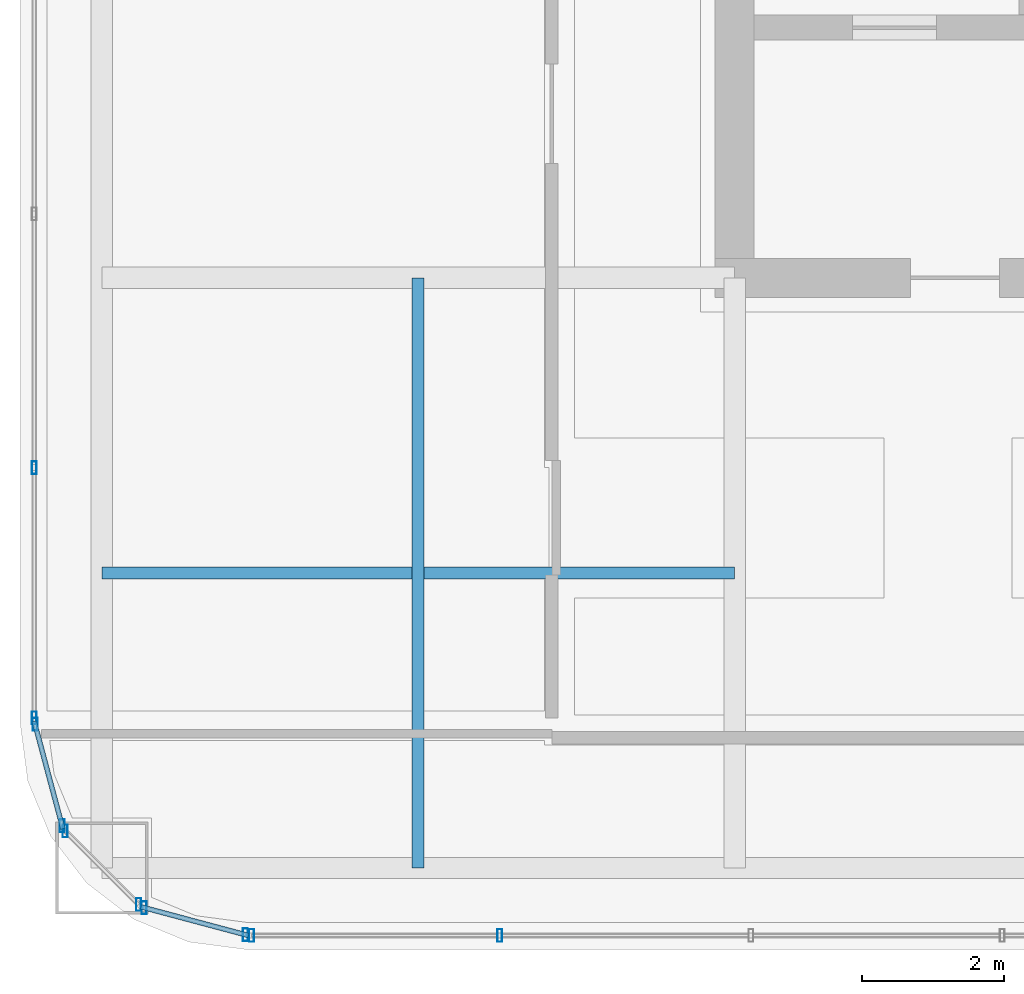
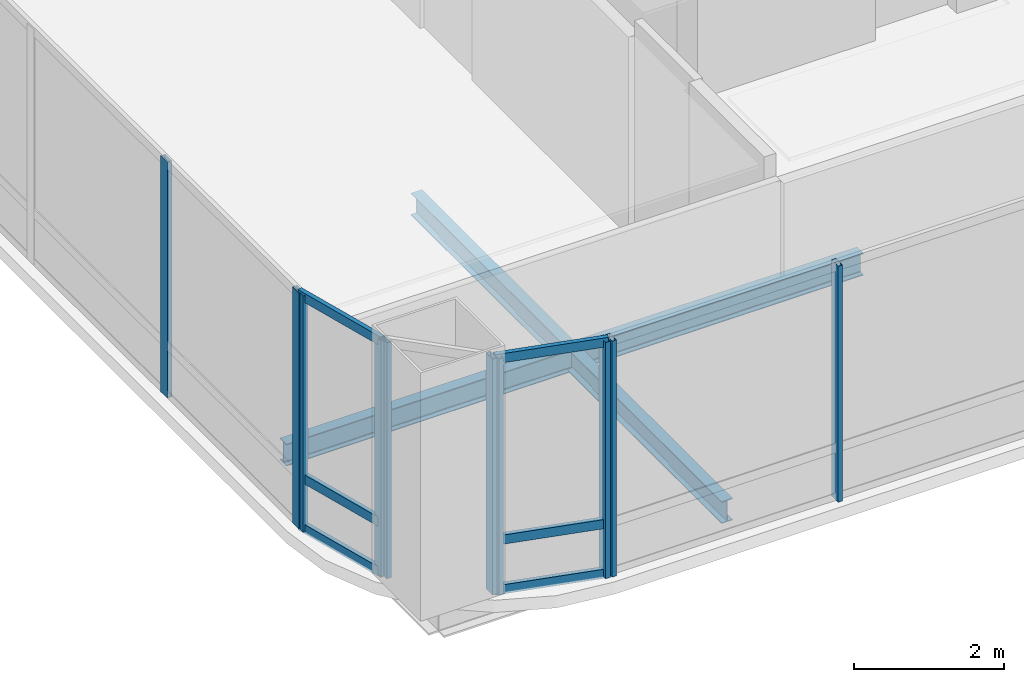
# One storey, part 2 of 40: 16 members, 2 beams, 5 elements without a shape of their own.
"""IFC4 building model written with IfcOpenShell, lengths in metres."""

from ifc_helpers import new_model, si_unit, direction, frame, origin, origin_2d, place, context, subcontext, project, spatial, hollow_rectangle, i_section, extrude, material, material_profile, profile_set, type_object, element, aggregate, save


model = new_model("IFC4")

# Units and contexts
model_context = context("Model", 3, precision=1e-05, world=origin(), true_north=direction((0.0, 1.0)))
body_context = subcontext(model_context, "Body", "Model", "MODEL_VIEW")
ifc_project = project(units=[si_unit("LENGTHUNIT", "METRE"), si_unit("AREAUNIT", "SQUARE_METRE"), si_unit("VOLUMEUNIT", "CUBIC_METRE"), si_unit("PLANEANGLEUNIT", "RADIAN"), si_unit("MASSUNIT", "GRAM", prefix="KILO")], contexts=[model_context])

# Site, building, storey
site_placement = place(None, origin())
site = spatial("IfcSite", under=ifc_project, at=site_placement, CompositionType="ELEMENT")
building_placement = place(site_placement, origin())
building = spatial("IfcBuilding", under=site, at=building_placement, Name="Punatoya Terracotta Tower", CompositionType="ELEMENT")
storey_placement = place(building_placement, frame((0.0, 0.0, 271.64990234375)))
storey = spatial("IfcBuildingStorey", under=building, at=storey_placement, Name="L64", CompositionType="ELEMENT", Elevation=271.64990234375)

# Beams
ifc_material_1 = material(Name="Steel S355", Category="steel")
ifc_material_profile_1 = material_profile(ifc_material_1, i_section(OverallWidth=0.169921875, OverallDepth=0.360107421875, WebThickness=0.008056640625, FlangeThickness=0.0126953125, FilletRadius=0.01806640625, at=origin_2d()))
ifc_profile_set_1 = profile_set([ifc_material_profile_1], Name="Steel S355")
beam_type = type_object("IfcBeamType", Name="BM-SEC-360", PredefinedType="JOIST", material=ifc_profile_set_1)
beam_1_placement = place(storey_placement, frame((-19.10009765625, -13.35009765625, -0.3798828125), z_axis=(1.0, 0.0, 0.0), x_axis=(0.0, 1.0, 0.0)))
element("IfcBeam", 1, at=beam_1_placement, inside=storey, type_object=beam_type, Name="BM-L64-SJS-1", PredefinedType="JOIST", context=body_context, shape_type="SweptSolid", body=[
    extrude(i_section(OverallWidth=0.169921875, OverallDepth=0.360107421875, WebThickness=0.008056640625, FlangeThickness=0.0126953125, FilletRadius=0.01806640625, at=origin_2d()), origin(), (0.0, 0.0, 1.0), 8.900146484375),
])
beam_2_placement = place(storey_placement, frame((-14.64990234375, -17.5, -0.3798828125), z_axis=(0.0, 1.0, 0.0), x_axis=(-1.0, 0.0, 0.0)))
element("IfcBeam", 2, at=beam_2_placement, inside=storey, type_object=beam_type, Name="BM-L64-SJW-1", PredefinedType="JOIST", context=body_context, shape_type="SweptSolid", body=[
    extrude(i_section(OverallWidth=0.169921875, OverallDepth=0.360107421875, WebThickness=0.008056640625, FlangeThickness=0.0126953125, FilletRadius=0.01806640625, at=origin_2d()), origin(), (0.0, 0.0, 1.0), 8.300048828125),
])

# Curtain wall, members
ifc_material_2 = material(Name="Aluminium 6063-T6 + Double Low-E Glass", Category="aluminium")
curtain_wall_type = type_object("IfcCurtainWallType", Name="CW-M3", PredefinedType="NOTDEFINED", material=ifc_material_2)
curtain_wall_1_placement = place(storey_placement, origin())
curtain_wall_1 = element("IfcCurtainWall", 3, at=curtain_wall_1_placement, inside=storey, type_object=curtain_wall_type, Name="L64 Curtain Wall CW-L64-S01-1", PredefinedType="NOTDEFINED")
ifc_material_3 = material(Name="Aluminium 6063-T6", Category="aluminium")
ifc_material_profile_2 = material_profile(ifc_material_3, hollow_rectangle(XDim=0.070068359375, YDim=0.179931640625, WallThickness=0.00390625, at=origin_2d()))
ifc_profile_set_2 = profile_set([ifc_material_profile_2], Name="Aluminium 6063-T6")
member_type_1 = type_object("IfcMemberType", Name="CW-MUL-M3", PredefinedType="MULLION", material=ifc_profile_set_2)
member_1_placement = place(storey_placement, frame((-16.991943359375, -18.449951171875, 0.0), z_axis=(0.0, 0.0, 1.0), x_axis=(1.0, 0.0, 0.0)))
member_1 = element("IfcMember", 4, at=member_1_placement, type_object=member_type_1, Name="CW-L64-S01-1 Mullion 00", PredefinedType="MULLION", context=body_context, shape_type="SweptSolid", body=[
    extrude(hollow_rectangle(XDim=0.070068359375, YDim=0.179931640625, WallThickness=0.00390625, at=origin_2d()), origin(), (0.0, 0.0, 1.0), 3.85009765625),
])
member_2_placement = place(storey_placement, frame((-13.5029296875, -18.449951171875, 0.0), z_axis=(0.0, 0.0, 1.0), x_axis=(1.0, 0.0, 0.0)))
member_2 = element("IfcMember", 5, at=member_2_placement, type_object=member_type_1, Name="CW-L64-S01-1 Mullion 01", PredefinedType="MULLION", context=body_context, shape_type="SweptSolid", body=[
    extrude(hollow_rectangle(XDim=0.070068359375, YDim=0.179931640625, WallThickness=0.00390625, at=origin_2d()), origin(), (0.0, 0.0, 1.0), 3.85009765625),
])
aggregate(curtain_wall_1, [member_1, member_2])

curtain_wall_2_placement = place(storey_placement, origin())
curtain_wall_2 = element("IfcCurtainWall", 6, at=curtain_wall_2_placement, inside=storey, type_object=curtain_wall_type, Name="L64 Curtain Wall CW-L64-W13-1", PredefinedType="NOTDEFINED")
member_3_placement = place(storey_placement, frame((-20.050048828125, -11.869384765625, 0.0), z_axis=(0.0, 0.0, 1.0), x_axis=(1.0, 0.0, 0.0)))
member_3 = element("IfcMember", 7, at=member_3_placement, type_object=member_type_1, Name="CW-L64-W13-1 Mullion 09", PredefinedType="MULLION", context=body_context, shape_type="SweptSolid", body=[
    extrude(hollow_rectangle(XDim=0.070068359375, YDim=0.179931640625, WallThickness=0.00390625, at=origin_2d()), origin(), (0.0, 0.0, 1.0), 3.85009765625),
])
member_4_placement = place(storey_placement, frame((-20.050048828125, -15.391845703125, 0.0), z_axis=(0.0, 0.0, 1.0), x_axis=(1.0, 0.0, 0.0)))
member_4 = element("IfcMember", 8, at=member_4_placement, type_object=member_type_1, Name="CW-L64-W13-1 Mullion 10", PredefinedType="MULLION", context=body_context, shape_type="SweptSolid", body=[
    extrude(hollow_rectangle(XDim=0.070068359375, YDim=0.179931640625, WallThickness=0.00390625, at=origin_2d()), origin(), (0.0, 0.0, 1.0), 3.85009765625),
])
aggregate(curtain_wall_2, [member_3, member_4])

curtain_wall_3_placement = place(storey_placement, origin())
curtain_wall_3 = element("IfcCurtainWall", 9, at=curtain_wall_3_placement, inside=storey, type_object=curtain_wall_type, Name="L64 Curtain Wall CW-L64-CRN14", PredefinedType="NOTDEFINED")
member_5_placement = place(storey_placement, frame((-20.038330078125, -15.48046875, 0.0), z_axis=(0.0, 0.0, 1.0), x_axis=(1.0, 0.0, 0.0)))
member_5 = element("IfcMember", 10, at=member_5_placement, type_object=member_type_1, Name="CW-L64-CRN14 Mullion 00", PredefinedType="MULLION", context=body_context, shape_type="SweptSolid", body=[
    extrude(hollow_rectangle(XDim=0.070068359375, YDim=0.179931640625, WallThickness=0.00390625, at=origin_2d()), origin(), (0.0, 0.0, 1.0), 3.85009765625),
])
member_6_placement = place(storey_placement, frame((-19.658203125, -16.905517578125, 0.0), z_axis=(0.0, 0.0, 1.0), x_axis=(1.0, 0.0, 0.0)))
member_6 = element("IfcMember", 11, at=member_6_placement, type_object=member_type_1, Name="CW-L64-CRN14 Mullion 01", PredefinedType="MULLION", context=body_context, shape_type="SweptSolid", body=[
    extrude(hollow_rectangle(XDim=0.070068359375, YDim=0.179931640625, WallThickness=0.00390625, at=origin_2d()), origin(), (0.0, 0.0, 1.0), 3.85009765625),
])

curtain_wall_4_placement = place(storey_placement, origin())
curtain_wall_4 = element("IfcCurtainWall", 12, at=curtain_wall_4_placement, inside=storey, type_object=curtain_wall_type, Name="L64 Curtain Wall CW-L64-CRN15", PredefinedType="NOTDEFINED")
member_7_placement = place(storey_placement, frame((-19.61474609375, -16.98095703125, 0.0), z_axis=(0.0, 0.0, 1.0), x_axis=(1.0, 0.0, 0.0)))
member_7 = element("IfcMember", 13, at=member_7_placement, type_object=member_type_1, Name="CW-L64-CRN15 Mullion 00", PredefinedType="MULLION", context=body_context, shape_type="SweptSolid", body=[
    extrude(hollow_rectangle(XDim=0.070068359375, YDim=0.179931640625, WallThickness=0.00390625, at=origin_2d()), origin(), (0.0, 0.0, 1.0), 3.85009765625),
])
member_8_placement = place(storey_placement, frame((-18.580810546875, -18.014892578125, 0.0), z_axis=(0.0, 0.0, 1.0), x_axis=(1.0, 0.0, 0.0)))
member_8 = element("IfcMember", 14, at=member_8_placement, type_object=member_type_1, Name="CW-L64-CRN15 Mullion 01", PredefinedType="MULLION", context=body_context, shape_type="SweptSolid", body=[
    extrude(hollow_rectangle(XDim=0.070068359375, YDim=0.179931640625, WallThickness=0.00390625, at=origin_2d()), origin(), (0.0, 0.0, 1.0), 3.85009765625),
])
aggregate(curtain_wall_4, [member_7, member_8])

curtain_wall_5_placement = place(storey_placement, origin())
curtain_wall_5 = element("IfcCurtainWall", 15, at=curtain_wall_5_placement, inside=storey, type_object=curtain_wall_type, Name="L64 Curtain Wall CW-L64-CRN16", PredefinedType="NOTDEFINED")
member_9_placement = place(storey_placement, frame((-18.505615234375, -18.05810546875, 0.0), z_axis=(0.0, 0.0, 1.0), x_axis=(1.0, 0.0, 0.0)))
member_9 = element("IfcMember", 16, at=member_9_placement, type_object=member_type_1, Name="CW-L64-CRN16 Mullion 00", PredefinedType="MULLION", context=body_context, shape_type="SweptSolid", body=[
    extrude(hollow_rectangle(XDim=0.070068359375, YDim=0.179931640625, WallThickness=0.00390625, at=origin_2d()), origin(), (0.0, 0.0, 1.0), 3.85009765625),
])
member_10_placement = place(storey_placement, frame((-17.080322265625, -18.4384765625, 0.0), z_axis=(0.0, 0.0, 1.0), x_axis=(1.0, 0.0, 0.0)))
member_10 = element("IfcMember", 17, at=member_10_placement, type_object=member_type_1, Name="CW-L64-CRN16 Mullion 01", PredefinedType="MULLION", context=body_context, shape_type="SweptSolid", body=[
    extrude(hollow_rectangle(XDim=0.070068359375, YDim=0.179931640625, WallThickness=0.00390625, at=origin_2d()), origin(), (0.0, 0.0, 1.0), 3.85009765625),
])

# Member
ifc_material_profile_3 = material_profile(ifc_material_3, hollow_rectangle(XDim=0.068115234375, YDim=0.14990234375, WallThickness=0.00390625, at=origin_2d()))
ifc_profile_set_3 = profile_set([ifc_material_profile_3], Name="Aluminium 6063-T6")
member_type_2 = type_object("IfcMemberType", Name="CW-TRN-TYP", PredefinedType="USERDEFINED", material=ifc_profile_set_3)
member_11_placement = place(storey_placement, frame((-20.050048828125, -15.43701171875, 0.0400390625), z_axis=(0.257847112249, -0.966185730957, 0.0), x_axis=(0.966185730957, 0.257847112249, 0.0)))
member_11 = element("IfcMember", 18, at=member_11_placement, type_object=member_type_2, Name="CW-L64-CRN14 Transom 1", ObjectType="TRANSOM", PredefinedType="USERDEFINED", context=body_context, shape_type="SweptSolid", body=[
    extrude(hollow_rectangle(XDim=0.068115234375, YDim=0.14990234375, WallThickness=0.00390625, at=origin_2d()), origin(), (0.0, 0.0, 1.0), 1.565185546875),
])

member_12_placement = place(storey_placement, frame((-20.050048828125, -15.43701171875, 0.85009765625), z_axis=(0.257847112249, -0.966185730957, 0.0), x_axis=(0.966185730957, 0.257847112249, 0.0)))
member_12 = element("IfcMember", 19, at=member_12_placement, type_object=member_type_2, Name="CW-L64-CRN14 Transom 2", ObjectType="TRANSOM", PredefinedType="USERDEFINED", context=body_context, shape_type="SweptSolid", body=[
    extrude(hollow_rectangle(XDim=0.068115234375, YDim=0.14990234375, WallThickness=0.00390625, at=origin_2d()), origin(), (0.0, 0.0, 1.0), 1.565185546875),
])

member_13_placement = place(storey_placement, frame((-20.050048828125, -15.43701171875, 3.81005859375), z_axis=(0.257847112249, -0.966185730957, 0.0), x_axis=(0.966185730957, 0.257847112249, 0.0)))
member_13 = element("IfcMember", 20, at=member_13_placement, type_object=member_type_2, Name="CW-L64-CRN14 Transom 3", ObjectType="TRANSOM", PredefinedType="USERDEFINED", context=body_context, shape_type="SweptSolid", body=[
    extrude(hollow_rectangle(XDim=0.068115234375, YDim=0.14990234375, WallThickness=0.00390625, at=origin_2d()), origin(), (0.0, 0.0, 1.0), 1.565185546875),
])

aggregate(curtain_wall_3, [member_5, member_6, member_11, member_12, member_13])

member_14_placement = place(storey_placement, frame((-18.549072265625, -18.046630859375, 0.0400390625), z_axis=(0.966224582397, -0.257701486942, 0.0), x_axis=(0.257701486942, 0.966224582397, 0.0)))
member_14 = element("IfcMember", 21, at=member_14_placement, type_object=member_type_2, Name="CW-L64-CRN16 Transom 1", ObjectType="TRANSOM", PredefinedType="USERDEFINED", context=body_context, shape_type="SweptSolid", body=[
    extrude(hollow_rectangle(XDim=0.068115234375, YDim=0.14990234375, WallThickness=0.00390625, at=origin_2d()), origin(), (0.0, 0.0, 1.0), 1.565185546875),
])

member_15_placement = place(storey_placement, frame((-18.549072265625, -18.046630859375, 0.85009765625), z_axis=(0.966224582397, -0.257701486942, 0.0), x_axis=(0.257701486942, 0.966224582397, 0.0)))
member_15 = element("IfcMember", 22, at=member_15_placement, type_object=member_type_2, Name="CW-L64-CRN16 Transom 2", ObjectType="TRANSOM", PredefinedType="USERDEFINED", context=body_context, shape_type="SweptSolid", body=[
    extrude(hollow_rectangle(XDim=0.068115234375, YDim=0.14990234375, WallThickness=0.00390625, at=origin_2d()), origin(), (0.0, 0.0, 1.0), 1.565185546875),
])

member_16_placement = place(storey_placement, frame((-18.549072265625, -18.046630859375, 3.81005859375), z_axis=(0.966224582397, -0.257701486942, 0.0), x_axis=(0.257701486942, 0.966224582397, 0.0)))
member_16 = element("IfcMember", 23, at=member_16_placement, type_object=member_type_2, Name="CW-L64-CRN16 Transom 3", ObjectType="TRANSOM", PredefinedType="USERDEFINED", context=body_context, shape_type="SweptSolid", body=[
    extrude(hollow_rectangle(XDim=0.068115234375, YDim=0.14990234375, WallThickness=0.00390625, at=origin_2d()), origin(), (0.0, 0.0, 1.0), 1.565185546875),
])

aggregate(curtain_wall_5, [member_9, member_10, member_14, member_15, member_16])

save(model, "model.ifc")
